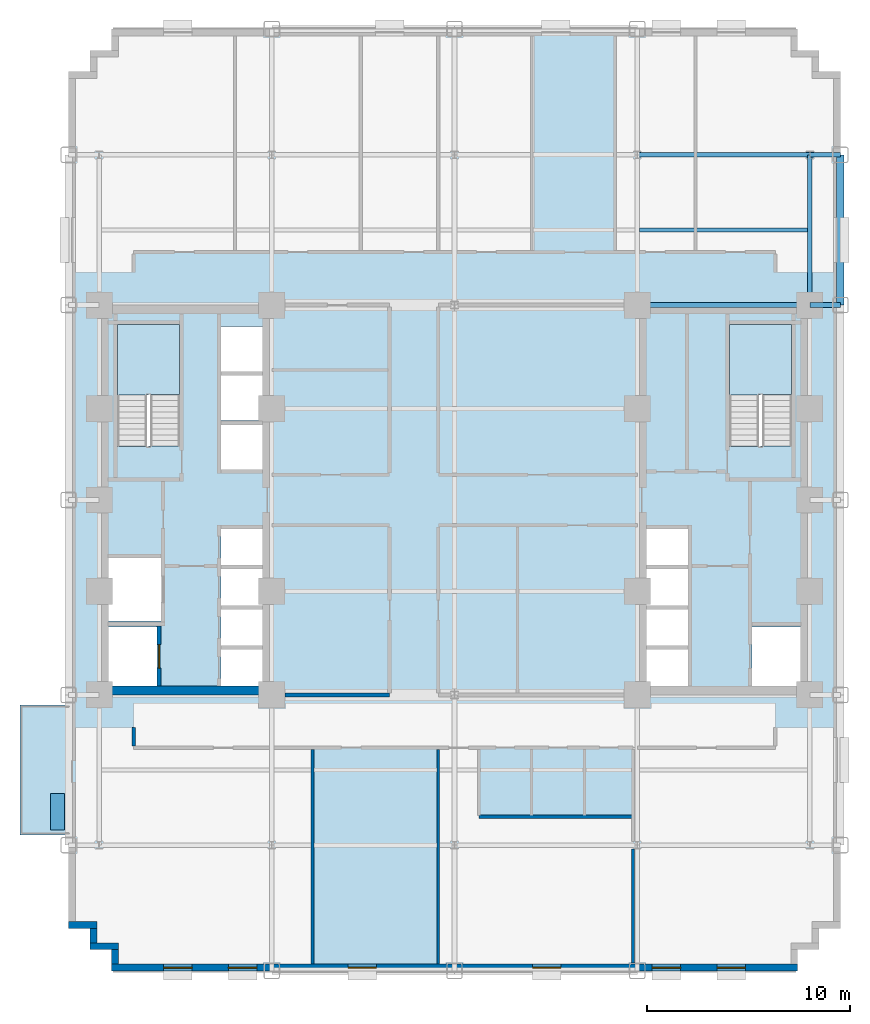
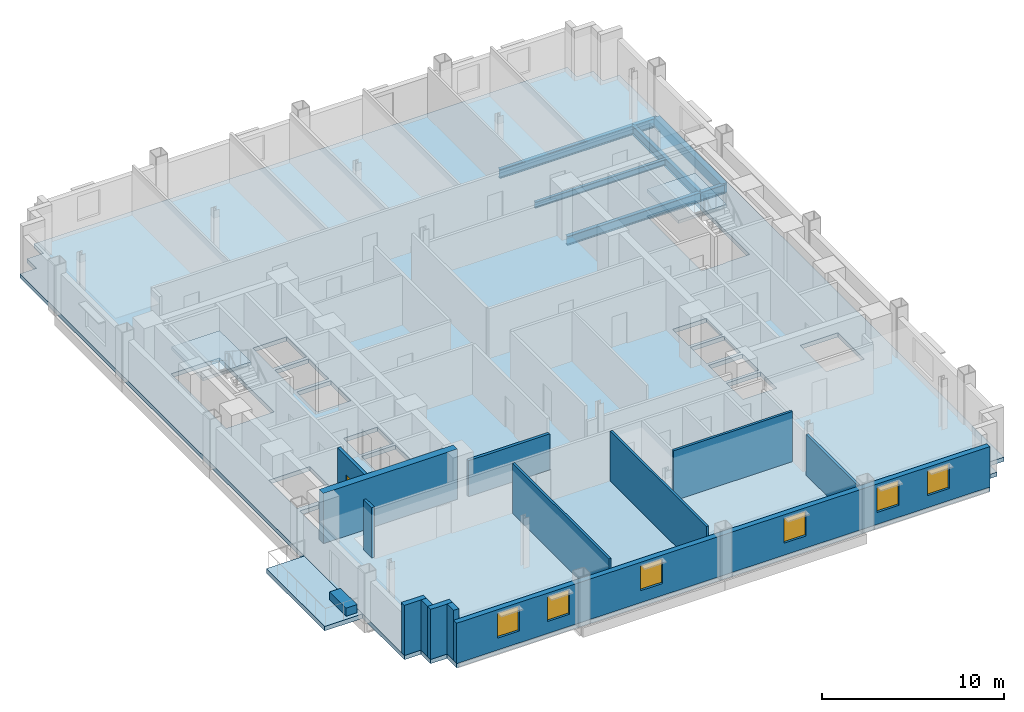
# One storey, part 4 of 12: 13 walls, 7 beams, 6 windows, 4 slabs, 1 door, 1 plate, 7 openings, 2 elements without a shape of their own.
"""IFC4 building model written with IfcOpenShell, lengths in metres."""

from ifc_helpers import new_model, si_unit, direction, frame, frame_2d, origin, origin_2d, place, context, subcontext, project, spatial, polyline, rectangle, i_section, outline, extrude, source, transform, mapped, material, layer, layer_set, material_profile, profile_set, type_object, type_shapes, element, fill, aggregate, save


model = new_model("IFC4")

# Units and contexts
model_context = context("Model", 3, precision=1e-05, world=origin(), true_north=direction((0.0, 1.0)))
body_context = subcontext(model_context, "Body", "Model", "MODEL_VIEW")
ifc_project = project(units=[si_unit("LENGTHUNIT", "METRE"), si_unit("AREAUNIT", "SQUARE_METRE"), si_unit("VOLUMEUNIT", "CUBIC_METRE"), si_unit("PLANEANGLEUNIT", "RADIAN"), si_unit("MASSUNIT", "GRAM", prefix="KILO")], contexts=[model_context])

# Site, building, storey
site_placement = place(None, origin())
site = spatial("IfcSite", under=ifc_project, at=site_placement, CompositionType="ELEMENT")
building_placement = place(site_placement, origin())
building = spatial("IfcBuilding", under=site, at=building_placement, Name="Nuvemarco Arch Tower", CompositionType="ELEMENT")
storey_placement = place(building_placement, frame((0.0, 0.0, 38.550048828125)))
storey = spatial("IfcBuildingStorey", under=building, at=storey_placement, Name="L09", CompositionType="ELEMENT", Elevation=38.550048828125)

# Beams
ifc_material_1 = material(Name="Steel S355", Category="steel")
ifc_material_profile_1 = material_profile(ifc_material_1, i_section(OverallWidth=0.22998046875, OverallDepth=0.616943359375, WebThickness=0.01318359375, FlangeThickness=0.022216796875, FilletRadius=0.01611328125, at=origin_2d()), Name="W610x140")
ifc_profile_set_1 = profile_set([ifc_material_profile_1], Name="Steel S355")
beam_type_1 = type_object("IfcBeamType", Name="BM-GIRD-610", PredefinedType="BEAM", material=ifc_profile_set_1)
beam_1_placement = place(storey_placement, frame((17.5, 9.60009765625, -0.588623046875), z_axis=(0.0, 1.0, 0.0), x_axis=(-1.0, 0.0, 0.0)))
element("IfcBeam", 1, at=beam_1_placement, inside=storey, type_object=beam_type_1, Name="L09 structural beam BGNS_L09_0_+17.5_+9.6", PredefinedType="BEAM", context=body_context, shape_type="SweptSolid", body=[
    extrude(i_section(OverallWidth=0.22998046875, OverallDepth=0.616943359375, WebThickness=0.01318359375, FlangeThickness=0.022216796875, FilletRadius=0.01611328125, at=origin_2d()), origin(), (0.0, 0.0, 1.0), 7.39990234375),
])
beam_2_placement = place(storey_placement, frame((9.0, 9.60009765625, -0.588623046875), z_axis=(1.0, 0.0, 0.0), x_axis=(0.0, 1.0, 0.0)))
element("IfcBeam", 2, at=beam_2_placement, inside=storey, type_object=beam_type_1, Name="L09 structural beam BGEW_L09_0_+9.6_+9.0", PredefinedType="BEAM", context=body_context, shape_type="SweptSolid", body=[
    extrude(i_section(OverallWidth=0.22998046875, OverallDepth=0.616943359375, WebThickness=0.01318359375, FlangeThickness=0.022216796875, FilletRadius=0.01611328125, at=origin_2d()), origin(), (0.0, 0.0, 1.0), 8.5),
])
beam_3_placement = place(storey_placement, frame((17.5, 9.60009765625, -0.588623046875), z_axis=(1.0, 0.0, 0.0), x_axis=(0.0, 1.0, 0.0)))
element("IfcBeam", 3, at=beam_3_placement, inside=storey, type_object=beam_type_1, Name="L09 structural beam BGEW_L09_0_+9.6_+17.5", PredefinedType="BEAM", context=body_context, shape_type="SweptSolid", body=[
    extrude(i_section(OverallWidth=0.22998046875, OverallDepth=0.616943359375, WebThickness=0.01318359375, FlangeThickness=0.022216796875, FilletRadius=0.01611328125, at=origin_2d()), origin(), (0.0, 0.0, 1.0), 1.5),
])
beam_4_placement = place(storey_placement, frame((9.0, 17.0, -0.588623046875), z_axis=(1.0, 0.0, 0.0), x_axis=(0.0, 1.0, 0.0)))
element("IfcBeam", 4, at=beam_4_placement, inside=storey, type_object=beam_type_1, Name="L09 structural beam BGEW_L09_0_+17.0_+9.0", PredefinedType="BEAM", context=body_context, shape_type="SweptSolid", body=[
    extrude(i_section(OverallWidth=0.22998046875, OverallDepth=0.616943359375, WebThickness=0.01318359375, FlangeThickness=0.022216796875, FilletRadius=0.01611328125, at=origin_2d()), origin(), (0.0, 0.0, 1.0), 8.5),
])
beam_5_placement = place(storey_placement, frame((17.5, 17.0, -0.588623046875), z_axis=(1.0, 0.0, 0.0), x_axis=(0.0, 1.0, 0.0)))
element("IfcBeam", 5, at=beam_5_placement, inside=storey, type_object=beam_type_1, Name="L09 structural beam BGEW_L09_0_+17.0_+17.5", PredefinedType="BEAM", context=body_context, shape_type="SweptSolid", body=[
    extrude(i_section(OverallWidth=0.22998046875, OverallDepth=0.616943359375, WebThickness=0.01318359375, FlangeThickness=0.022216796875, FilletRadius=0.01611328125, at=origin_2d()), origin(), (0.0, 0.0, 1.0), 1.5),
])
ifc_material_profile_2 = material_profile(ifc_material_1, i_section(OverallWidth=0.179931640625, OverallDepth=0.4130859375, WebThickness=0.009765625, FlangeThickness=0.01611328125, FilletRadius=0.014892578125, at=origin_2d()), Name="W410x75")
ifc_profile_set_2 = profile_set([ifc_material_profile_2], Name="Steel S355")
beam_type_2 = type_object("IfcBeamType", Name="BM-JOIST-410", PredefinedType="JOIST", material=ifc_profile_set_2)
beam_6_placement = place(storey_placement, frame((9.114990234375, 13.300048828125, -0.486572265625), z_axis=(1.0, 0.0, 0.0), x_axis=(0.0, 1.0, 0.0)))
element("IfcBeam", 6, at=beam_6_placement, inside=storey, type_object=beam_type_2, Name="L09 structural beam BJ_L09_0_+13.3_+9.0", PredefinedType="JOIST", context=body_context, shape_type="SweptSolid", body=[
    extrude(i_section(OverallWidth=0.179931640625, OverallDepth=0.4130859375, WebThickness=0.009765625, FlangeThickness=0.01611328125, FilletRadius=0.014892578125, at=origin_2d()), origin(), (0.0, 0.0, 1.0), 8.27001953125),
])
ifc_material_2 = material(Name="Precast concrete C45/55", Category="concrete")
ifc_material_profile_3 = material_profile(ifc_material_2, rectangle(XDim=0.35009765625, YDim=0.64990234375, at=origin_2d()), Name="PC-SP-350x650")
ifc_profile_set_3 = profile_set([ifc_material_profile_3], Name="Precast concrete C45/55")
beam_type_3 = type_object("IfcBeamType", Name="BM-SPAN-RC", PredefinedType="SPANDREL", material=ifc_profile_set_3)
beam_7_placement = place(storey_placement, frame((19.0, 9.60009765625, -0.60498046875), z_axis=(0.0, 1.0, 0.0), x_axis=(-1.0, 0.0, 0.0)))
element("IfcBeam", 7, at=beam_7_placement, inside=storey, type_object=beam_type_3, Name="L09 structural beam BGNS_L09_0_+19.0_+9.6", PredefinedType="SPANDREL", context=body_context, shape_type="SweptSolid", body=[
    extrude(rectangle(XDim=0.35009765625, YDim=0.64990234375, at=origin_2d()), origin(), (0.0, 0.0, 1.0), 7.39990234375),
])

# Slab
ifc_material_3 = material(Name="Concrete C50/60", Category="concrete")
ifc_layer_1 = layer(ifc_material_3, 0.280029296875, Name="SL-FLR-280")
ifc_layer_set_1 = layer_set([ifc_layer_1], Name="Concrete C50/60")
slab_type_1 = type_object("IfcSlabType", Name="SL-FLR-280", PredefinedType="FLOOR", material=ifc_layer_set_1)
slab_1_placement = place(storey_placement, frame((0.0, 0.0, -0.280029296875)))
element("IfcSlab", 8, at=slab_1_placement, inside=storey, type_object=slab_type_1, Name="L09 structural floor slab", PredefinedType="FLOOR", context=body_context, shape_type="SweptSolid", body=[
    extrude(outline(polyline([(-16.89990234375, -23.199951171875), (16.89990234375, -23.199951171875), (16.89990234375, -22.14990234375), (17.949951171875, -22.14990234375), (17.949951171875, -21.10009765625), (19.0, -21.10009765625), (19.0, 21.10009765625), (17.949951171875, 21.10009765625), (17.949951171875, 22.14990234375), (16.89990234375, 22.14990234375), (16.89990234375, 23.199951171875), (-16.89990234375, 23.199951171875), (-16.89990234375, 22.14990234375), (-17.949951171875, 22.14990234375), (-17.949951171875, 21.10009765625), (-19.0, 21.10009765625), (-19.0, -21.10009765625), (-17.949951171875, -21.10009765625), (-17.949951171875, -22.14990234375), (-16.89990234375, -22.14990234375), (-16.89990234375, -23.199951171875)]), holes=[polyline([(-13.5400390625, 2.669921875), (-13.5400390625, 8.64990234375), (-16.60009765625, 8.64990234375), (-16.60009765625, 2.630615234375), (-15.070068359375, 2.630615234375), (-15.070068359375, 2.669921875), (-13.5400390625, 2.669921875)]), polyline([(16.60009765625, 2.669921875), (16.60009765625, 8.64990234375), (13.5400390625, 8.64990234375), (13.5400390625, 2.630615234375), (15.070068359375, 2.630615234375), (15.070068359375, 2.669921875), (16.60009765625, 2.669921875)]), polyline([(-17.050048828125, -9.14990234375), (-14.64990234375, -9.14990234375), (-14.64990234375, -6.25), (-17.050048828125, -6.25), (-17.050048828125, -9.14990234375)]), polyline([(-17.050048828125, -5.949951171875), (-14.449951171875, -5.949951171875), (-14.449951171875, -2.85009765625), (-17.050048828125, -2.85009765625), (-17.050048828125, -5.949951171875)]), polyline([(-11.5, -9.14990234375), (-9.35009765625, -9.14990234375), (-9.35009765625, -7.3701171875), (-11.5, -7.3701171875), (-11.5, -9.14990234375)]), polyline([(-11.5, -7.169921875), (-9.35009765625, -7.169921875), (-9.35009765625, -5.389892578125), (-11.5, -5.389892578125), (-11.5, -7.169921875)]), polyline([(-11.5, -5.18994140625), (-9.35009765625, -5.18994140625), (-9.35009765625, -3.409912109375), (-11.5, -3.409912109375), (-11.5, -5.18994140625)]), polyline([(-11.5, -3.2099609375), (-9.35009765625, -3.2099609375), (-9.35009765625, -1.429931640625), (-11.5, -1.429931640625), (-11.5, -3.2099609375)]), polyline([(-11.5, 1.5), (-9.35009765625, 1.5), (-9.35009765625, 3.699951171875), (-11.5, 3.699951171875), (-11.5, 1.5)]), polyline([(-11.5, 3.919921875), (-9.35009765625, 3.919921875), (-9.35009765625, 6.1201171875), (-11.5, 6.1201171875), (-11.5, 3.919921875)]), polyline([(-11.5, 6.340087890625), (-9.35009765625, 6.340087890625), (-9.35009765625, 8.5400390625), (-11.5, 8.5400390625), (-11.5, 6.340087890625)]), polyline([(14.64990234375, -9.14990234375), (17.050048828125, -9.14990234375), (17.050048828125, -6.25), (14.64990234375, -6.25), (14.64990234375, -9.14990234375)]), polyline([(9.35009765625, -9.14990234375), (11.5, -9.14990234375), (11.5, -7.3701171875), (9.35009765625, -7.3701171875), (9.35009765625, -9.14990234375)]), polyline([(9.35009765625, -7.169921875), (11.5, -7.169921875), (11.5, -5.389892578125), (9.35009765625, -5.389892578125), (9.35009765625, -7.169921875)]), polyline([(9.35009765625, -5.18994140625), (11.5, -5.18994140625), (11.5, -3.409912109375), (9.35009765625, -3.409912109375), (9.35009765625, -5.18994140625)]), polyline([(9.35009765625, -3.2099609375), (11.5, -3.2099609375), (11.5, -1.429931640625), (9.35009765625, -1.429931640625), (9.35009765625, -3.2099609375)])]), origin(), (0.0, 0.0, 1.0), 0.280029296875),
])

# Stair, slab
stair_type = type_object("IfcStairType", Name="ST-CORE-20R", PredefinedType="HALF_TURN_STAIR", material=ifc_material_2)
stair_1_placement = place(storey_placement, origin())
stair_1 = element("IfcStair", 9, at=stair_1_placement, inside=storey, type_object=stair_type, Name="L09 Protected Exit Stair ST-1", PredefinedType="HALF_TURN_STAIR")
ifc_layer_2 = layer(ifc_material_2, 0.199951171875, Name="SL-LANDING-200")
ifc_layer_set_2 = layer_set([ifc_layer_2], Name="Precast concrete C45/55")
slab_type_2 = type_object("IfcSlabType", Name="SL-LANDING-200", PredefinedType="LANDING", material=ifc_layer_set_2)
slab_2_placement = place(storey_placement, frame((0.0, 0.0, 1.625)))
slab_2 = element("IfcSlab", 10, at=slab_2_placement, type_object=slab_type_2, Name="ST-20R landing 1", PredefinedType="LANDING", context=body_context, shape_type="SweptSolid", body=[
    extrude(outline(polyline([(-13.5400390625, 5.189453125), (-13.5400390625, 8.64990234375), (-16.60009765625, 8.64990234375), (-16.60009765625, 5.169921875), (-15.070068359375, 5.169921875), (-15.070068359375, 5.189453125), (-13.5400390625, 5.189453125)])), origin(), (0.0, 0.0, 1.0), 0.199951171875),
])
aggregate(stair_1, [slab_2])

stair_2_placement = place(storey_placement, origin())
stair_2 = element("IfcStair", 11, at=stair_2_placement, inside=storey, type_object=stair_type, Name="L09 Protected Exit Stair ST-2", PredefinedType="HALF_TURN_STAIR")
slab_3_placement = place(storey_placement, frame((0.0, 0.0, 1.625)))
slab_3 = element("IfcSlab", 12, at=slab_3_placement, type_object=slab_type_2, Name="ST-20R landing 1", PredefinedType="LANDING", context=body_context, shape_type="SweptSolid", body=[
    extrude(outline(polyline([(16.60009765625, 5.189453125), (16.60009765625, 8.64990234375), (13.5400390625, 8.64990234375), (13.5400390625, 5.169921875), (15.070068359375, 5.169921875), (15.070068359375, 5.189453125), (16.60009765625, 5.189453125)])), origin(), (0.0, 0.0, 1.0), 0.199951171875),
])
aggregate(stair_2, [slab_3])

# Slab
ifc_layer_3 = layer(ifc_material_3, 0.294921875, Name="SL-TR4")
ifc_layer_set_3 = layer_set([ifc_layer_3], Name="Concrete C50/60")
slab_type_3 = type_object("IfcSlabType", Name="SL-TR4", PredefinedType="FLOOR", material=ifc_layer_set_3)
slab_4_placement = place(storey_placement, frame((0.0, 0.0, -0.295166015625)))
element("IfcSlab", 13, at=slab_4_placement, inside=storey, type_object=slab_type_3, Name="L09 outdoor spiral terrace slab 1", PredefinedType="FLOOR", context=body_context, shape_type="SweptSolid", body=[
    extrude(outline(polyline([(-21.39990234375, -16.5), (-19.0, -16.5), (-19.0, -10.10009765625), (-21.39990234375, -10.10009765625), (-21.39990234375, -16.5)])), origin(), (0.0, 0.0, 1.0), 0.295166015625),
])

# Plate
ifc_layer_4 = layer(ifc_material_2, 0.550048828125, Name="Tree Balcony Structural Planter")
ifc_layer_set_4 = layer_set([ifc_layer_4], Name="Precast concrete C45/55")
plate_type = type_object("IfcPlateType", Name="Tree Balcony Structural Planter", PredefinedType="USERDEFINED", material=ifc_layer_set_4)
shared_shape_1 = source(origin(), body_context, "Body", "SweptSolid", [
    extrude(rectangle(XDim=1.800048828125, YDim=0.699951171875, at=origin_2d()), origin(), (0.0, 0.0, 1.0), 0.550048828125),
])
type_shapes(plate_type, [shared_shape_1])
plate_placement = place(storey_placement, frame((-19.550048828125, -15.35009765625, 0.0), z_axis=(0.0, 0.0, 1.0), x_axis=(0.0, 1.0, 0.0)))
element("IfcPlate", 14, at=plate_placement, inside=storey, type_object=plate_type, Name="L09 Tree Balcony Structural Planter", ObjectType="PLANTER", PredefinedType="USERDEFINED", context=body_context, shape_type="MappedRepresentation", body=[
    mapped(shared_shape_1, transform((0.0, 0.0, 0.0), scale=1.0)),
])

# Wall, openings, windows
ifc_layer_5 = layer(ifc_material_2, 0.340087890625, Name="EW-LOW-340")
ifc_layer_set_5 = layer_set([ifc_layer_5], Name="Precast concrete C45/55")
wall_type_1 = type_object("IfcWallType", Name="EW-LOW-340", PredefinedType="STANDARD", material=ifc_layer_set_5)
wall_1_placement = place(storey_placement, frame((-16.89990234375, -23.030029296875, 0.0), z_axis=(0.0, 0.0, 1.0), x_axis=(1.0, 0.0, 0.0)))
wall_1 = element("IfcWall", 15, at=wall_1_placement, inside=storey, type_object=wall_type_1, Name="L09 exterior precast facade wall 1", PredefinedType="STANDARD", context=body_context, shape_type="SweptSolid", body=[
    extrude(rectangle(XDim=33.7998046875, YDim=0.340087890625, at=frame_2d((16.89990234375, 0.0))), origin(), (0.0, 0.0, 1.0), 2.704833984375),
])
opening_1_placement = place(wall_1_placement, frame((2.5712890625, 0.0, 0.800048828125)))
opening_1 = element("IfcOpeningElement", 16, at=opening_1_placement, cuts=wall_1, Name="Opening WN-4", PredefinedType="OPENING", context=body_context, shape_type="SweptSolid", body=[
    extrude(rectangle(XDim=1.39990234375, YDim=1.64990234375, at=frame_2d((0.699951171875, 0.824951171875))), frame((0.0, 0.179931640625, 0.0), z_axis=(0.0, -1.0, 0.0), x_axis=(1.0, 0.0, 0.0)), (0.0, 0.0, 1.0), 0.360107421875),
])
opening_2_placement = place(wall_1_placement, frame((5.764404296875, 0.0, 0.800048828125)))
opening_2 = element("IfcOpeningElement", 17, at=opening_2_placement, cuts=wall_1, Name="Opening WN-4", PredefinedType="OPENING", context=body_context, shape_type="SweptSolid", body=[
    extrude(rectangle(XDim=1.39990234375, YDim=1.64990234375, at=frame_2d((0.699951171875, 0.824951171875))), frame((0.0, 0.179931640625, 0.0), z_axis=(0.0, -1.0, 0.0), x_axis=(1.0, 0.0, 0.0)), (0.0, 0.0, 1.0), 0.360107421875),
])
opening_3_placement = place(wall_1_placement, frame((11.656982421875, 0.0, 0.800048828125)))
opening_3 = element("IfcOpeningElement", 18, at=opening_3_placement, cuts=wall_1, Name="Opening WN-4", PredefinedType="OPENING", context=body_context, shape_type="SweptSolid", body=[
    extrude(rectangle(XDim=1.39990234375, YDim=1.64990234375, at=frame_2d((0.699951171875, 0.824951171875))), frame((0.0, 0.179931640625, 0.0), z_axis=(0.0, -1.0, 0.0), x_axis=(1.0, 0.0, 0.0)), (0.0, 0.0, 1.0), 0.360107421875),
])
opening_4_placement = place(wall_1_placement, frame((20.742919921875, 0.0, 0.800048828125)))
opening_4 = element("IfcOpeningElement", 19, at=opening_4_placement, cuts=wall_1, Name="Opening WN-4", PredefinedType="OPENING", context=body_context, shape_type="SweptSolid", body=[
    extrude(rectangle(XDim=1.39990234375, YDim=1.64990234375, at=frame_2d((0.699951171875, 0.824951171875))), frame((0.0, 0.179931640625, 0.0), z_axis=(0.0, -1.0, 0.0), x_axis=(1.0, 0.0, 0.0)), (0.0, 0.0, 1.0), 0.360107421875),
])
opening_5_placement = place(wall_1_placement, frame((26.6357421875, 0.0, 0.800048828125)))
opening_5 = element("IfcOpeningElement", 20, at=opening_5_placement, cuts=wall_1, Name="Opening WN-4", PredefinedType="OPENING", context=body_context, shape_type="SweptSolid", body=[
    extrude(rectangle(XDim=1.39990234375, YDim=1.64990234375, at=frame_2d((0.699951171875, 0.824951171875))), frame((0.0, 0.179931640625, 0.0), z_axis=(0.0, -1.0, 0.0), x_axis=(1.0, 0.0, 0.0)), (0.0, 0.0, 1.0), 0.360107421875),
])
opening_6_placement = place(wall_1_placement, frame((29.82861328125, 0.0, 0.800048828125)))
opening_6 = element("IfcOpeningElement", 21, at=opening_6_placement, cuts=wall_1, Name="Opening WN-4", PredefinedType="OPENING", context=body_context, shape_type="SweptSolid", body=[
    extrude(rectangle(XDim=1.39990234375, YDim=1.64990234375, at=frame_2d((0.699951171875, 0.824951171875))), frame((0.0, 0.179931640625, 0.0), z_axis=(0.0, -1.0, 0.0), x_axis=(1.0, 0.0, 0.0)), (0.0, 0.0, 1.0), 0.360107421875),
])
ifc_material_4 = material(Name="Insulated solar-control glass", Category="glass")
window_type = type_object("IfcWindowType", Name="WN-LOW-1400x1650", PartitioningType="SINGLE_PANEL", PredefinedType="WINDOW", material=ifc_material_4)
shared_shape_2 = source(origin(), body_context, "Body", "SweptSolid", [
    extrude(rectangle(XDim=1.39990234375, YDim=1.64990234375, at=frame_2d((0.699951171875, 0.824951171875))), frame((0.0, 0.030029296875, 0.0), z_axis=(0.0, -1.0, 0.0), x_axis=(1.0, 0.0, 0.0)), (0.0, 0.0, 1.0), 0.06005859375),
])
type_shapes(window_type, [shared_shape_2])
window_1_placement = place(opening_1_placement, origin())
window_1 = element("IfcWindow", 22, at=window_1_placement, inside=storey, type_object=window_type, Name="L09 punched facade window 1", OverallHeight=1.64990234375, OverallWidth=1.39990234375, PartitioningType="SINGLE_PANEL", PredefinedType="WINDOW", context=body_context, shape_type="MappedRepresentation", body=[
    mapped(shared_shape_2, transform((0.0, 0.0, 0.0), scale=1.0)),
])
fill(opening_1, window_1)
window_2_placement = place(opening_2_placement, origin())
window_2 = element("IfcWindow", 23, at=window_2_placement, inside=storey, type_object=window_type, Name="L09 punched facade window 2", OverallHeight=1.64990234375, OverallWidth=1.39990234375, PartitioningType="SINGLE_PANEL", PredefinedType="WINDOW", context=body_context, shape_type="MappedRepresentation", body=[
    mapped(shared_shape_2, transform((0.0, 0.0, 0.0), scale=1.0)),
])
fill(opening_2, window_2)
window_3_placement = place(opening_3_placement, origin())
window_3 = element("IfcWindow", 24, at=window_3_placement, inside=storey, type_object=window_type, Name="L09 punched facade window 3", OverallHeight=1.64990234375, OverallWidth=1.39990234375, PartitioningType="SINGLE_PANEL", PredefinedType="WINDOW", context=body_context, shape_type="MappedRepresentation", body=[
    mapped(shared_shape_2, transform((0.0, 0.0, 0.0), scale=1.0)),
])
fill(opening_3, window_3)
window_4_placement = place(opening_4_placement, origin())
window_4 = element("IfcWindow", 25, at=window_4_placement, inside=storey, type_object=window_type, Name="L09 punched facade window 5", OverallHeight=1.64990234375, OverallWidth=1.39990234375, PartitioningType="SINGLE_PANEL", PredefinedType="WINDOW", context=body_context, shape_type="MappedRepresentation", body=[
    mapped(shared_shape_2, transform((0.0, 0.0, 0.0), scale=1.0)),
])
fill(opening_4, window_4)
window_5_placement = place(opening_5_placement, origin())
window_5 = element("IfcWindow", 26, at=window_5_placement, inside=storey, type_object=window_type, Name="L09 punched facade window 6", OverallHeight=1.64990234375, OverallWidth=1.39990234375, PartitioningType="SINGLE_PANEL", PredefinedType="WINDOW", context=body_context, shape_type="MappedRepresentation", body=[
    mapped(shared_shape_2, transform((0.0, 0.0, 0.0), scale=1.0)),
])
fill(opening_5, window_5)
window_6_placement = place(opening_6_placement, origin())
window_6 = element("IfcWindow", 27, at=window_6_placement, inside=storey, type_object=window_type, Name="L09 punched facade window 7", OverallHeight=1.64990234375, OverallWidth=1.39990234375, PartitioningType="SINGLE_PANEL", PredefinedType="WINDOW", context=body_context, shape_type="MappedRepresentation", body=[
    mapped(shared_shape_2, transform((0.0, 0.0, 0.0), scale=1.0)),
])
fill(opening_6, window_6)

# Walls
wall_2_placement = place(storey_placement, frame((-19.0, -20.929931640625, 0.0), z_axis=(0.0, 0.0, 1.0), x_axis=(1.0, 0.0, 0.0)))
element("IfcWall", 28, at=wall_2_placement, inside=storey, type_object=wall_type_1, Name="L09 exterior precast facade wall 17", PredefinedType="STANDARD", context=body_context, shape_type="SweptSolid", body=[
    extrude(rectangle(XDim=1.389892578125, YDim=0.340087890625, at=frame_2d((0.69482421875, 0.0))), origin(), (0.0, 0.0, 1.0), 3.35986328125),
])
wall_3_placement = place(storey_placement, frame((-17.780029296875, -21.81396484375, 0.0), z_axis=(0.0, 0.0, 1.0), x_axis=(0.0, 1.0, 0.0)))
element("IfcWall", 29, at=wall_3_placement, inside=storey, type_object=wall_type_1, Name="L09 exterior precast facade wall 18", PredefinedType="STANDARD", context=body_context, shape_type="SweptSolid", body=[
    extrude(rectangle(XDim=0.718017578125, YDim=0.340087890625, at=frame_2d((0.35888671875, 0.0))), origin(), (0.0, 0.0, 1.0), 3.35986328125),
])
wall_4_placement = place(storey_placement, frame((-17.949951171875, -21.97998046875, 0.0), z_axis=(0.0, 0.0, 1.0), x_axis=(1.0, 0.0, 0.0)))
element("IfcWall", 30, at=wall_4_placement, inside=storey, type_object=wall_type_1, Name="L09 exterior precast facade wall 19", PredefinedType="STANDARD", context=body_context, shape_type="SweptSolid", body=[
    extrude(rectangle(XDim=1.389892578125, YDim=0.340087890625, at=frame_2d((0.69482421875, 0.0))), origin(), (0.0, 0.0, 1.0), 3.35986328125),
])
wall_5_placement = place(storey_placement, frame((-16.72998046875, -22.864013671875, 0.0), z_axis=(0.0, 0.0, 1.0), x_axis=(0.0, 1.0, 0.0)))
element("IfcWall", 31, at=wall_5_placement, inside=storey, type_object=wall_type_1, Name="L09 exterior precast facade wall 20", PredefinedType="STANDARD", context=body_context, shape_type="SweptSolid", body=[
    extrude(rectangle(XDim=0.718017578125, YDim=0.340087890625, at=frame_2d((0.35888671875, 0.0))), origin(), (0.0, 0.0, 1.0), 3.35986328125),
])
ifc_material_5 = material(Name="Concrete C60/75", Category="concrete")
ifc_layer_6 = layer(ifc_material_5, 0.449951171875, Name="WL-CORE-450")
ifc_layer_set_6 = layer_set([ifc_layer_6], Name="Concrete C60/75")
wall_type_2 = type_object("IfcWallType", Name="WL-CORE-450", PredefinedType="SHEAR", material=ifc_layer_set_6)
wall_6_placement = place(storey_placement, frame((-17.5, -9.375, 0.0), z_axis=(0.0, 0.0, 1.0), x_axis=(1.0, 0.0, 0.0)))
element("IfcWall", 32, at=wall_6_placement, inside=storey, type_object=wall_type_2, Name="L09 W-core shear wall S", PredefinedType="SHEAR", context=body_context, shape_type="SweptSolid", body=[
    extrude(rectangle(XDim=8.5, YDim=0.449951171875, at=frame_2d((4.25, 0.0))), origin(), (0.0, 0.0, 1.0), 3.369873046875),
])
ifc_material_6 = material(Name="Fire-rated gypsum drywall partition")
ifc_layer_7 = layer(ifc_material_6, 0.179931640625, Name="WL-CORR-180")
ifc_layer_set_7 = layer_set([ifc_layer_7], Name="Fire-rated gypsum drywall partition")
wall_type_3 = type_object("IfcWallType", Name="WL-CORR-180", PredefinedType="PARTITIONING", material=ifc_layer_set_7)
wall_7_placement = place(storey_placement, frame((-8.35400390625, -9.60009765625, 0.0), z_axis=(0.0, 0.0, 1.0), x_axis=(1.0, 0.0, 0.0)))
element("IfcWall", 33, at=wall_7_placement, inside=storey, type_object=wall_type_3, Name="L09 interior wall IW-L09-004", PredefinedType="PARTITIONING", context=body_context, shape_type="SweptSolid", body=[
    extrude(rectangle(XDim=5.154052734375, YDim=0.179931640625, at=frame_2d((2.5771484375, 0.0))), origin(), (0.0, 0.0, 1.0), 2.405029296875),
])
wall_8_placement = place(storey_placement, frame((-15.800048828125, -12.114013671875, 0.0), z_axis=(0.0, 0.0, 1.0), x_axis=(0.0, 1.0, 0.0)))
element("IfcWall", 34, at=wall_8_placement, inside=storey, type_object=wall_type_3, Name="L09 interior wall IW-L09-016", PredefinedType="PARTITIONING", context=body_context, shape_type="SweptSolid", body=[
    extrude(rectangle(XDim=0.9140625, YDim=0.179931640625, at=frame_2d((0.45703125, 0.0))), origin(), (0.0, 0.0, 1.0), 3.35986328125),
])
ifc_material_7 = material(Name="Gypsum plasterboard partition")
ifc_layer_8 = layer(ifc_material_7, 0.139892578125, Name="WL-ROOM-140")
ifc_layer_set_8 = layer_set([ifc_layer_8], Name="Gypsum plasterboard partition")
wall_type_4 = type_object("IfcWallType", Name="WL-ROOM-140", PredefinedType="PARTITIONING", material=ifc_layer_set_8)
for number, where, z_axis, x_axis, name in (
    (35, (-6.989990234375, -22.860107421875, 0.0), (0.0, 0.0, 1.0), (0.0, 1.0, 0.0), "L09 interior wall IW-L09-019"),
    (36, (-0.800048828125, -22.860107421875, 0.0), (0.0, 0.0, 1.0), (0.0, 1.0, 0.0), "L09 interior wall IW-L09-023"),
):
    element("IfcWall", number, at=place(storey_placement, frame(where, z_axis=z_axis, x_axis=x_axis)), inside=storey, type_object=wall_type_4, Name=name, PredefinedType="PARTITIONING", context=body_context, shape_type="SweptSolid", body=[
        extrude(rectangle(XDim=10.57421875, YDim=0.139892578125, at=frame_2d((5.287109375, 0.0))), origin(), (0.0, 0.0, 1.0), 3.35986328125),
    ])

# Wall, opening, door
ifc_layer_9 = layer(ifc_material_3, 0.199951171875, Name="WL-SHAFT-220")
ifc_layer_set_9 = layer_set([ifc_layer_9], Name="Concrete C50/60")
wall_type_5 = type_object("IfcWallType", Name="WL-SHAFT-220", PredefinedType="SHEAR", material=ifc_layer_set_9)
wall_9_placement = place(storey_placement, frame((-14.550048828125, -9.155029296875, 0.0), z_axis=(0.0, 0.0, 1.0), x_axis=(0.0, 1.0, 0.0)))
wall_9 = element("IfcWall", 37, at=wall_9_placement, inside=storey, type_object=wall_type_5, Name="L09 structural shaft wall SW-L09-W-SHE", PredefinedType="SHEAR", context=body_context, shape_type="SweptSolid", body=[
    extrude(rectangle(XDim=2.9599609375, YDim=0.199951171875, at=frame_2d((1.47998046875, 0.0))), origin(), (0.0, 0.0, 1.0), 3.369873046875),
])
opening_7_placement = place(wall_9_placement, frame((0.8798828125, 0.0, 0.0)))
opening_7 = element("IfcOpeningElement", 38, at=opening_7_placement, cuts=wall_9, Name="Opening LD-2", PredefinedType="OPENING", context=body_context, shape_type="SweptSolid", body=[
    extrude(rectangle(XDim=1.14990234375, YDim=2.14990234375, at=frame_2d((0.574951171875, 1.074951171875))), frame((0.0, 0.10986328125, 0.0), z_axis=(0.0, -1.0, 0.0), x_axis=(1.0, 0.0, 0.0)), (0.0, 0.0, 1.0), 0.219970703125),
])
ifc_material_8 = material(Name="Stainless steel lift door", Category="steel")
door_type = type_object("IfcDoorType", Name="DR-LIFT-FIRE", OperationType="DOUBLE_DOOR_SLIDING", PredefinedType="DOOR", material=ifc_material_8)
shared_shape_3 = source(origin(), body_context, "Body", "SweptSolid", [
    extrude(rectangle(XDim=1.14990234375, YDim=2.14990234375, at=frame_2d((0.574951171875, 1.074951171875))), frame((0.0, 0.02490234375, 0.0), z_axis=(0.0, -1.0, 0.0), x_axis=(1.0, 0.0, 0.0)), (0.0, 0.0, 1.0), 0.050048828125),
])
type_shapes(door_type, [shared_shape_3])
door_placement = place(opening_7_placement, origin())
door = element("IfcDoor", 39, at=door_placement, inside=storey, type_object=door_type, Name="L09 Lift landing sliding door FFL-1", OperationType="DOUBLE_DOOR_SLIDING", OverallHeight=2.14990234375, OverallWidth=1.14990234375, PredefinedType="DOOR", context=body_context, shape_type="MappedRepresentation", body=[
    mapped(shared_shape_3, transform((0.0, 0.0, 0.0), scale=1.0)),
])
fill(opening_7, door)

# Walls
ifc_material_9 = material(Name="Moisture-resistant gypsum partition")
ifc_layer_10 = layer(ifc_material_9, 0.14990234375, Name="WL-WET-150")
ifc_layer_set_10 = layer_set([ifc_layer_10], Name="Moisture-resistant gypsum partition")
wall_type_6 = type_object("IfcWallType", Name="WL-WET-150", PredefinedType="PARTITIONING", material=ifc_layer_set_10)
wall_10_placement = place(storey_placement, frame((1.199951171875, -15.60009765625, 0.0), z_axis=(0.0, 0.0, 1.0), x_axis=(1.0, 0.0, 0.0)))
element("IfcWall", 40, at=wall_10_placement, inside=storey, type_object=wall_type_6, Name="L09 interior wall IW-L09-001", PredefinedType="PARTITIONING", context=body_context, shape_type="SweptSolid", body=[
    extrude(rectangle(XDim=7.533935546875, YDim=0.14990234375, at=frame_2d((3.76708984375, 0.0))), origin(), (0.0, 0.0, 1.0), 3.35986328125),
])
wall_11_placement = place(storey_placement, frame((8.800048828125, -22.803955078125, 0.0), z_axis=(0.0, 0.0, 1.0), x_axis=(0.0, 1.0, 0.0)))
element("IfcWall", 41, at=wall_11_placement, inside=storey, type_object=wall_type_6, Name="L09 interior wall IW-L09-033", PredefinedType="PARTITIONING", context=body_context, shape_type="SweptSolid", body=[
    extrude(rectangle(XDim=5.6279296875, YDim=0.14990234375, at=frame_2d((2.81396484375, 0.0))), origin(), (0.0, 0.0, 1.0), 2.738037109375),
])

save(model, "model.ifc")
